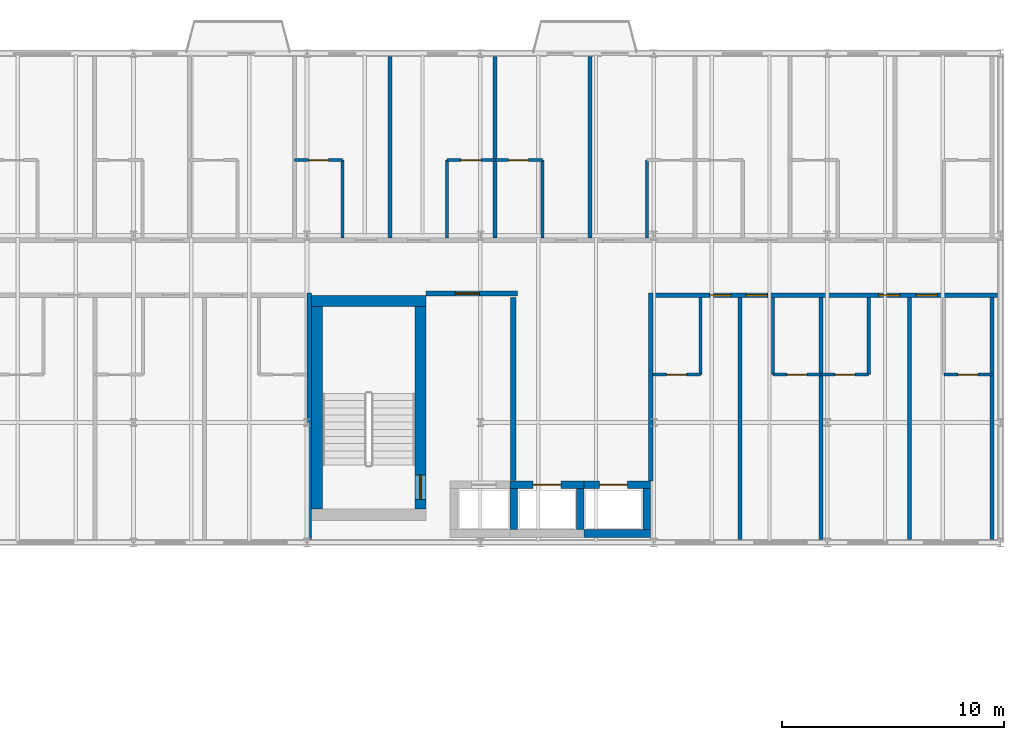
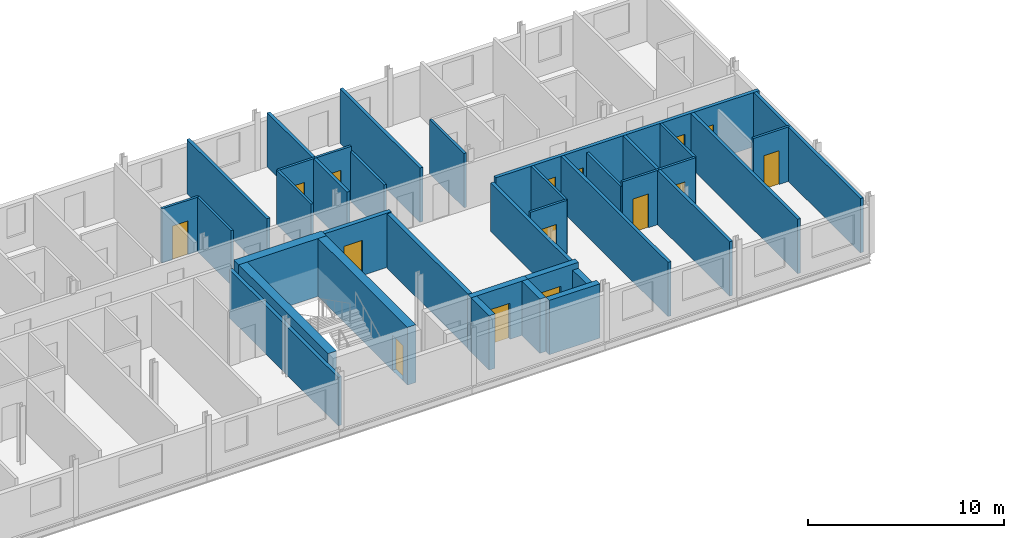
# One storey, part 20 of 25: 35 walls, 15 doors, 15 openings.
"""IFC4 building model written with IfcOpenShell, lengths in metres."""

from ifc_helpers import new_model, si_unit, direction, frame, frame_2d, origin, place, context, subcontext, project, spatial, rectangle, extrude, material, layer, layer_set, type_object, element, fill, save


model = new_model("IFC4")

# Units and contexts
model_context = context("Model", 3, precision=1e-05, world=origin(), true_north=direction((0.0, 1.0)))
body_context = subcontext(model_context, "Body", "Model", "MODEL_VIEW")
ifc_project = project(units=[si_unit("LENGTHUNIT", "METRE"), si_unit("AREAUNIT", "SQUARE_METRE"), si_unit("VOLUMEUNIT", "CUBIC_METRE"), si_unit("PLANEANGLEUNIT", "RADIAN"), si_unit("MASSUNIT", "GRAM", prefix="KILO")], contexts=[model_context])

# Site, building, storey
site_placement = place(None, origin())
site = spatial("IfcSite", under=ifc_project, at=site_placement, CompositionType="ELEMENT")
building_placement = place(site_placement, origin())
building = spatial("IfcBuilding", under=site, at=building_placement, Name="Sefraquen Railside Congress Hotel", CompositionType="ELEMENT")
storey_placement = place(building_placement, frame((0.0, 0.0, 39.0)))
storey = spatial("IfcBuildingStorey", under=building, at=storey_placement, Name="L09", CompositionType="ELEMENT", Elevation=39.0)

# Wall, opening, door
ifc_material_1 = material(Name="Concrete C50/60", Category="concrete")
ifc_layer_1 = layer(ifc_material_1, 0.35009765625)
ifc_layer_set_1 = layer_set([ifc_layer_1], Name="Concrete C50/60")
wall_type_1 = type_object("IfcWallType", Name="TW-CW-350", PredefinedType="SHEAR", material=ifc_layer_set_1)
wall_1_placement = place(storey_placement, frame((73.330078125, 98.594970703125, 0.0), z_axis=(0.0, 0.0, 1.0), x_axis=(1.0, 0.0, 0.0)))
wall_1 = element("IfcWall", 1, at=wall_1_placement, inside=storey, type_object=wall_type_1, Name="Lift PL-05 shaft wall N L09", PredefinedType="SHEAR", context=body_context, shape_type="SweptSolid", body=[
    extrude(rectangle(XDim=3.33984375, YDim=0.35009765625, at=frame_2d((1.669921875, 0.0))), origin(), (0.0, 0.0, 1.0), 3.3798828125),
])
opening_1_placement = place(wall_1_placement, frame((1.044921875, 0.0, 0.0)))
opening_1 = element("IfcOpeningElement", 2, at=opening_1_placement, cuts=wall_1, Name="Opening LD-02", PredefinedType="OPENING", context=body_context, shape_type="SweptSolid", body=[
    extrude(rectangle(XDim=1.25, YDim=2.25, at=frame_2d((0.625, 1.125))), frame((0.0, 0.18505859375, 0.0), z_axis=(0.0, -1.0, 0.0), x_axis=(1.0, 0.0, 0.0)), (0.0, 0.0, 1.0), 0.3701171875),
])
ifc_material_2 = material(Name="Brushed stainless steel", Category="steel")
door_type_1 = type_object("IfcDoorType", Name="TD-LD-02", OperationType="NOTDEFINED", PredefinedType="DOOR", material=ifc_material_2)
door_1_placement = place(opening_1_placement, origin())
door_1 = element("IfcDoor", 3, at=door_1_placement, inside=storey, type_object=door_type_1, Name="Lift landing door PL-05 L09", OperationType="SLIDING_TO_LEFT", OverallHeight=2.25, OverallWidth=1.25, PredefinedType="DOOR", context=body_context, shape_type="SweptSolid", body=[
    extrude(rectangle(XDim=1.25, YDim=2.25, at=frame_2d((0.625, 1.125))), frame((0.0, 0.02490234375, 0.0), z_axis=(0.0, -1.0, 0.0), x_axis=(1.0, 0.0, 0.0)), (0.0, 0.0, 1.0), 0.050048828125),
])
fill(opening_1, door_1)

# Walls
for number, where, z_axis, x_axis, name in (
    (4, (73.5048828125, 96.580078125, 0.0), (0.0, 0.0, 1.0), (0.0, 1.0, 0.0), "Lift PL-05 shaft wall W L09"),
    (5, (76.4951171875, 96.580078125, 0.0), (0.0, 0.0, 1.0), (0.0, 1.0, 0.0), "Lift PL-05 shaft wall E L09"),
):
    element("IfcWall", number, at=place(storey_placement, frame(where, z_axis=z_axis, x_axis=x_axis)), inside=storey, type_object=wall_type_1, Name=name, PredefinedType="SHEAR", context=body_context, shape_type="SweptSolid", body=[
        extrude(rectangle(XDim=1.83984375, YDim=0.35009765625, at=frame_2d((0.919921875, 0.0))), origin(), (0.0, 0.0, 1.0), 3.3798828125),
    ])

# Wall, opening, door
wall_2_placement = place(storey_placement, frame((76.669921875, 98.594970703125, 0.0), z_axis=(0.0, 0.0, 1.0), x_axis=(1.0, 0.0, 0.0)))
wall_2 = element("IfcWall", 6, at=wall_2_placement, inside=storey, type_object=wall_type_1, Name="Lift PL-06 shaft wall N L09", PredefinedType="SHEAR", context=body_context, shape_type="SweptSolid", body=[
    extrude(rectangle(XDim=2.989990234375, YDim=0.35009765625, at=frame_2d((1.4951171875, 0.0))), origin(), (0.0, 0.0, 1.0), 3.3798828125),
])
opening_2_placement = place(wall_2_placement, frame((0.695068359375, 0.0, 0.0)))
opening_2 = element("IfcOpeningElement", 7, at=opening_2_placement, cuts=wall_2, Name="Opening LD-02", PredefinedType="OPENING", context=body_context, shape_type="SweptSolid", body=[
    extrude(rectangle(XDim=1.25, YDim=2.25, at=frame_2d((0.625, 1.125))), frame((0.0, 0.18505859375, 0.0), z_axis=(0.0, -1.0, 0.0), x_axis=(1.0, 0.0, 0.0)), (0.0, 0.0, 1.0), 0.3701171875),
])
door_2_placement = place(opening_2_placement, origin())
door_2 = element("IfcDoor", 8, at=door_2_placement, inside=storey, type_object=door_type_1, Name="Lift landing door PL-06 L09", OperationType="SLIDING_TO_LEFT", OverallHeight=2.25, OverallWidth=1.25, PredefinedType="DOOR", context=body_context, shape_type="SweptSolid", body=[
    extrude(rectangle(XDim=1.25, YDim=2.25, at=frame_2d((0.625, 1.125))), frame((0.0, 0.02490234375, 0.0), z_axis=(0.0, -1.0, 0.0), x_axis=(1.0, 0.0, 0.0)), (0.0, 0.0, 1.0), 0.050048828125),
])
fill(opening_2, door_2)

# Walls
wall_3_placement = place(storey_placement, frame((76.669921875, 96.405029296875, 0.0), z_axis=(0.0, 0.0, 1.0), x_axis=(1.0, 0.0, 0.0)))
element("IfcWall", 9, at=wall_3_placement, inside=storey, type_object=wall_type_1, Name="Lift PL-06 shaft wall S L09", PredefinedType="SHEAR", context=body_context, shape_type="SweptSolid", body=[
    extrude(rectangle(XDim=2.989990234375, YDim=0.35009765625, at=frame_2d((1.4951171875, 0.0))), origin(), (0.0, 0.0, 1.0), 3.3798828125),
])
wall_4_placement = place(storey_placement, frame((79.485107421875, 96.580078125, 0.0), z_axis=(0.0, 0.0, 1.0), x_axis=(0.0, 1.0, 0.0)))
element("IfcWall", 10, at=wall_4_placement, inside=storey, type_object=wall_type_1, Name="Lift PL-06 shaft wall E L09", PredefinedType="SHEAR", context=body_context, shape_type="SweptSolid", body=[
    extrude(rectangle(XDim=1.83984375, YDim=0.35009765625, at=frame_2d((0.919921875, 0.0))), origin(), (0.0, 0.0, 1.0), 3.010009765625),
])
ifc_layer_2 = layer(ifc_material_1, 0.5)
ifc_layer_set_2 = layer_set([ifc_layer_2], Name="Concrete C50/60")
wall_type_2 = type_object("IfcWallType", Name="TW-CW-500", PredefinedType="SHEAR", material=ifc_layer_set_2)
wall_5_placement = place(storey_placement, frame((64.39990234375, 106.862060546875, 0.0), z_axis=(0.0, 0.0, 1.0), x_axis=(1.0, 0.0, 0.0)))
element("IfcWall", 11, at=wall_5_placement, inside=storey, type_object=wall_type_2, Name="Core shear wall ST-H03 N L09", PredefinedType="SHEAR", context=body_context, shape_type="SweptSolid", body=[
    extrude(rectangle(XDim=5.16015625, YDim=0.5, at=frame_2d((2.580078125, 0.0))), origin(), (0.0, 0.0, 1.0), 3.60009765625),
])
wall_6_placement = place(storey_placement, frame((64.64990234375, 97.5, 0.0), z_axis=(0.0, 0.0, 1.0), x_axis=(0.0, 1.0, 0.0)))
element("IfcWall", 12, at=wall_6_placement, inside=storey, type_object=wall_type_2, Name="Core shear wall ST-H03 W L09", PredefinedType="SHEAR", context=body_context, shape_type="SweptSolid", body=[
    extrude(rectangle(XDim=9.112060546875, YDim=0.5, at=frame_2d((4.55615234375, 0.0))), origin(), (0.0, 0.0, 1.0), 3.60009765625),
])

# Wall, opening, door
wall_7_placement = place(storey_placement, frame((69.31005859375, 97.5, 0.0), z_axis=(0.0, 0.0, 1.0), x_axis=(0.0, 1.0, 0.0)))
wall_7 = element("IfcWall", 13, at=wall_7_placement, inside=storey, type_object=wall_type_2, Name="Core shear wall ST-H03 E L09", PredefinedType="SHEAR", context=body_context, shape_type="SweptSolid", body=[
    extrude(rectangle(XDim=9.112060546875, YDim=0.5, at=frame_2d((4.55615234375, 0.0))), origin(), (0.0, 0.0, 1.0), 3.60009765625),
])
opening_3_placement = place(wall_7_placement, frame((0.43994140625, 0.0, 0.0)))
opening_3 = element("IfcOpeningElement", 14, at=opening_3_placement, cuts=wall_7, Name="Opening FD-04", PredefinedType="OPENING", context=body_context, shape_type="SweptSolid", body=[
    extrude(rectangle(XDim=1.10009765625, YDim=2.199951171875, at=frame_2d((0.550048828125, 1.10009765625))), frame((0.0, 0.260009765625, 0.0), z_axis=(0.0, -1.0, 0.0), x_axis=(1.0, 0.0, 0.0)), (0.0, 0.0, 1.0), 0.52001953125),
])
ifc_material_3 = material(Name="Fire-rated steel", Category="steel")
door_type_2 = type_object("IfcDoorType", Name="TD-FD-04", OperationType="NOTDEFINED", PredefinedType="DOOR", material=ifc_material_3)
door_3_placement = place(opening_3_placement, origin())
door_3 = element("IfcDoor", 15, at=door_3_placement, inside=storey, type_object=door_type_2, Name="Pressurized stair ST-H03 fire door L09", OperationType="SINGLE_SWING_LEFT", OverallHeight=2.199951171875, OverallWidth=1.10009765625, PredefinedType="DOOR", context=body_context, shape_type="SweptSolid", body=[
    extrude(rectangle(XDim=1.10009765625, YDim=2.199951171875, at=frame_2d((0.550048828125, 1.10009765625))), frame((0.0, 0.02490234375, 0.0), z_axis=(0.0, -1.0, 0.0), x_axis=(1.0, 0.0, 0.0)), (0.0, 0.0, 1.0), 0.050048828125),
])
fill(opening_3, door_3)

# Wall
ifc_material_4 = material(Name="Concrete C40/50", Category="concrete")
ifc_layer_3 = layer(ifc_material_4, 0.239990234375)
ifc_layer_set_3 = layer_set([ifc_layer_3], Name="Concrete C40/50")
wall_type_3 = type_object("IfcWallType", Name="TW-FW-240", PredefinedType="STANDARD", material=ifc_layer_set_3)
wall_8_placement = place(storey_placement, frame((73.47998046875, 98.780029296875, 0.0), z_axis=(0.0, 0.0, 1.0), x_axis=(0.0, 1.0, 0.0)))
element("IfcWall", 16, at=wall_8_placement, inside=storey, type_object=wall_type_3, Name="Firefighting Lift Lobby FFL-03 east fire wall L09", PredefinedType="STANDARD", context=body_context, shape_type="SweptSolid", body=[
    extrude(rectangle(XDim=8.239990234375, YDim=0.239990234375, at=frame_2d((4.1201171875, 0.0))), origin(), (0.0, 0.0, 1.0), 3.3798828125),
])

# Wall, opening, door
wall_9_placement = place(storey_placement, frame((69.56005859375, 107.199951171875, 0.0), z_axis=(0.0, 0.0, 1.0), x_axis=(1.0, 0.0, 0.0)))
wall_9 = element("IfcWall", 17, at=wall_9_placement, inside=storey, type_object=wall_type_3, Name="Firefighting Lift Lobby FFL-03 EI 120 separation wall L09", PredefinedType="STANDARD", context=body_context, shape_type="SweptSolid", body=[
    extrude(rectangle(XDim=4.099853515625, YDim=0.239990234375, at=frame_2d((2.0498046875, 0.0))), origin(), (0.0, 0.0, 1.0), 3.3798828125),
])
opening_4_placement = place(wall_9_placement, frame((1.300048828125, 0.0, 0.0)))
opening_4 = element("IfcOpeningElement", 18, at=opening_4_placement, cuts=wall_9, Name="Opening FD-04", PredefinedType="OPENING", context=body_context, shape_type="SweptSolid", body=[
    extrude(rectangle(XDim=1.10009765625, YDim=2.199951171875, at=frame_2d((0.550048828125, 1.10009765625))), frame((0.0, 0.1298828125, 0.0), z_axis=(0.0, -1.0, 0.0), x_axis=(1.0, 0.0, 0.0)), (0.0, 0.0, 1.0), 0.260009765625),
])
door_4_placement = place(opening_4_placement, origin())
door_4 = element("IfcDoor", 19, at=door_4_placement, inside=storey, type_object=door_type_2, Name="Firefighting Lift Lobby FFL-03 self-closing fire door L09", OperationType="SINGLE_SWING_LEFT", OverallHeight=2.199951171875, OverallWidth=1.10009765625, PredefinedType="DOOR", context=body_context, shape_type="SweptSolid", body=[
    extrude(rectangle(XDim=1.10009765625, YDim=2.199951171875, at=frame_2d((0.550048828125, 1.10009765625))), frame((0.0, 0.02490234375, 0.0), z_axis=(0.0, -1.0, 0.0), x_axis=(1.0, 0.0, 0.0)), (0.0, 0.0, 1.0), 0.050048828125),
])
fill(opening_4, door_4)

# Wall
ifc_material_5 = material(Name="Moisture-resistant gypsum board", Category="gypsum")
ifc_layer_4 = layer(ifc_material_5, 0.139892578125)
ifc_layer_set_4 = layer_set([ifc_layer_4], Name="Moisture-resistant gypsum board")
wall_type_4 = type_object("IfcWallType", Name="TW-PW-140", PredefinedType="PARTITIONING", material=ifc_layer_set_4)
wall_10_placement = place(storey_placement, frame((65.800048828125, 109.699951171875, 0.0), z_axis=(0.0, 0.0, 1.0), x_axis=(0.0, 1.0, 0.0)))
element("IfcWall", 20, at=wall_10_placement, inside=storey, type_object=wall_type_4, Name="En-suite bathroom east wall RM-010", PredefinedType="PARTITIONING", context=body_context, shape_type="SweptSolid", body=[
    extrude(rectangle(XDim=3.5, YDim=0.139892578125, at=frame_2d((1.75, 0.0))), origin(), (0.0, 0.0, 1.0), 3.3798828125),
])

# Wall, opening, door
wall_11_placement = place(storey_placement, frame((63.64990234375, 113.199951171875, 0.0), z_axis=(0.0, 0.0, 1.0), x_axis=(1.0, 0.0, 0.0)))
wall_11 = element("IfcWall", 21, at=wall_11_placement, inside=storey, type_object=wall_type_4, Name="En-suite bathroom north wall RM-010", PredefinedType="PARTITIONING", context=body_context, shape_type="SweptSolid", body=[
    extrude(rectangle(XDim=2.150146484375, YDim=0.139892578125, at=frame_2d((1.0751953125, 0.0))), origin(), (0.0, 0.0, 1.0), 3.3798828125),
])
opening_5_placement = place(wall_11_placement, frame((0.625, 0.0, 0.0)))
opening_5 = element("IfcOpeningElement", 22, at=opening_5_placement, cuts=wall_11, Name="Opening ID-02", PredefinedType="OPENING", context=body_context, shape_type="SweptSolid", body=[
    extrude(rectangle(XDim=0.89990234375, YDim=2.10009765625, at=frame_2d((0.449951171875, 1.050048828125))), frame((0.0, 0.079833984375, 0.0), z_axis=(0.0, -1.0, 0.0), x_axis=(1.0, 0.0, 0.0)), (0.0, 0.0, 1.0), 0.159912109375),
])
ifc_material_6 = material(Name="Lacquered cedar joinery", Category="wood")
door_type_3 = type_object("IfcDoorType", Name="TD-ID-02", OperationType="NOTDEFINED", PredefinedType="DOOR", material=ifc_material_6)
door_5_placement = place(opening_5_placement, origin())
door_5 = element("IfcDoor", 23, at=door_5_placement, inside=storey, type_object=door_type_3, Name="En-suite bathroom door RM-010", OperationType="SINGLE_SWING_LEFT", OverallHeight=2.10009765625, OverallWidth=0.89990234375, PredefinedType="DOOR", context=body_context, shape_type="SweptSolid", body=[
    extrude(rectangle(XDim=0.89990234375, YDim=2.10009765625, at=frame_2d((0.449951171875, 1.050048828125))), frame((0.0, 0.02490234375, 0.0), z_axis=(0.0, -1.0, 0.0), x_axis=(1.0, 0.0, 0.0)), (0.0, 0.0, 1.0), 0.050048828125),
])
fill(opening_5, door_5)

# Wall
wall_12_placement = place(storey_placement, frame((70.5, 109.699951171875, 0.0), z_axis=(0.0, 0.0, 1.0), x_axis=(0.0, 1.0, 0.0)))
element("IfcWall", 24, at=wall_12_placement, inside=storey, type_object=wall_type_4, Name="En-suite bathroom west wall RM-011", PredefinedType="PARTITIONING", context=body_context, shape_type="SweptSolid", body=[
    extrude(rectangle(XDim=3.5, YDim=0.139892578125, at=frame_2d((1.75, 0.0))), origin(), (0.0, 0.0, 1.0), 3.3798828125),
])

# Wall, opening, door
wall_13_placement = place(storey_placement, frame((70.5, 113.199951171875, 0.0), z_axis=(0.0, 0.0, 1.0), x_axis=(1.0, 0.0, 0.0)))
wall_13 = element("IfcWall", 25, at=wall_13_placement, inside=storey, type_object=wall_type_4, Name="En-suite bathroom north wall RM-011", PredefinedType="PARTITIONING", context=body_context, shape_type="SweptSolid", body=[
    extrude(rectangle(XDim=2.14990234375, YDim=0.139892578125, at=frame_2d((1.074951171875, 0.0))), origin(), (0.0, 0.0, 1.0), 3.3798828125),
])
opening_6_placement = place(wall_13_placement, frame((0.625, 0.0, 0.0)))
opening_6 = element("IfcOpeningElement", 26, at=opening_6_placement, cuts=wall_13, Name="Opening ID-02", PredefinedType="OPENING", context=body_context, shape_type="SweptSolid", body=[
    extrude(rectangle(XDim=0.89990234375, YDim=2.10009765625, at=frame_2d((0.449951171875, 1.050048828125))), frame((0.0, 0.079833984375, 0.0), z_axis=(0.0, -1.0, 0.0), x_axis=(1.0, 0.0, 0.0)), (0.0, 0.0, 1.0), 0.159912109375),
])
door_6_placement = place(opening_6_placement, origin())
door_6 = element("IfcDoor", 27, at=door_6_placement, inside=storey, type_object=door_type_3, Name="En-suite bathroom door RM-011", OperationType="SINGLE_SWING_LEFT", OverallHeight=2.10009765625, OverallWidth=0.89990234375, PredefinedType="DOOR", context=body_context, shape_type="SweptSolid", body=[
    extrude(rectangle(XDim=0.89990234375, YDim=2.10009765625, at=frame_2d((0.449951171875, 1.050048828125))), frame((0.0, 0.02490234375, 0.0), z_axis=(0.0, -1.0, 0.0), x_axis=(1.0, 0.0, 0.0)), (0.0, 0.0, 1.0), 0.050048828125),
])
fill(opening_6, door_6)

# Wall
wall_14_placement = place(storey_placement, frame((74.800048828125, 109.699951171875, 0.0), z_axis=(0.0, 0.0, 1.0), x_axis=(0.0, 1.0, 0.0)))
element("IfcWall", 28, at=wall_14_placement, inside=storey, type_object=wall_type_4, Name="En-suite bathroom east wall RM-012", PredefinedType="PARTITIONING", context=body_context, shape_type="SweptSolid", body=[
    extrude(rectangle(XDim=3.5, YDim=0.139892578125, at=frame_2d((1.75, 0.0))), origin(), (0.0, 0.0, 1.0), 3.070068359375),
])

# Wall, opening, door
wall_15_placement = place(storey_placement, frame((72.64990234375, 113.199951171875, 0.0), z_axis=(0.0, 0.0, 1.0), x_axis=(1.0, 0.0, 0.0)))
wall_15 = element("IfcWall", 29, at=wall_15_placement, inside=storey, type_object=wall_type_4, Name="En-suite bathroom north wall RM-012", PredefinedType="PARTITIONING", context=body_context, shape_type="SweptSolid", body=[
    extrude(rectangle(XDim=2.150146484375, YDim=0.139892578125, at=frame_2d((1.0751953125, 0.0))), origin(), (0.0, 0.0, 1.0), 3.3798828125),
])
opening_7_placement = place(wall_15_placement, frame((0.625, 0.0, 0.0)))
opening_7 = element("IfcOpeningElement", 30, at=opening_7_placement, cuts=wall_15, Name="Opening ID-02", PredefinedType="OPENING", context=body_context, shape_type="SweptSolid", body=[
    extrude(rectangle(XDim=0.89990234375, YDim=2.10009765625, at=frame_2d((0.449951171875, 1.050048828125))), frame((0.0, 0.079833984375, 0.0), z_axis=(0.0, -1.0, 0.0), x_axis=(1.0, 0.0, 0.0)), (0.0, 0.0, 1.0), 0.159912109375),
])
door_7_placement = place(opening_7_placement, origin())
door_7 = element("IfcDoor", 31, at=door_7_placement, inside=storey, type_object=door_type_3, Name="En-suite bathroom door RM-012", OperationType="SINGLE_SWING_LEFT", OverallHeight=2.10009765625, OverallWidth=0.89990234375, PredefinedType="DOOR", context=body_context, shape_type="SweptSolid", body=[
    extrude(rectangle(XDim=0.89990234375, YDim=2.10009765625, at=frame_2d((0.449951171875, 1.050048828125))), frame((0.0, 0.02490234375, 0.0), z_axis=(0.0, -1.0, 0.0), x_axis=(1.0, 0.0, 0.0)), (0.0, 0.0, 1.0), 0.050048828125),
])
fill(opening_7, door_7)

# Walls
wall_16_placement = place(storey_placement, frame((79.5, 109.699951171875, 0.0), z_axis=(0.0, 0.0, 1.0), x_axis=(0.0, 1.0, 0.0)))
element("IfcWall", 32, at=wall_16_placement, inside=storey, type_object=wall_type_4, Name="En-suite bathroom west wall RM-013", PredefinedType="PARTITIONING", context=body_context, shape_type="SweptSolid", body=[
    extrude(rectangle(XDim=3.5, YDim=0.139892578125, at=frame_2d((1.75, 0.0))), origin(), (0.0, 0.0, 1.0), 3.3798828125),
])
wall_17_placement = place(storey_placement, frame((81.89990234375, 103.550048828125, 0.0), z_axis=(0.0, 0.0, 1.0), x_axis=(0.0, 1.0, 0.0)))
element("IfcWall", 33, at=wall_17_placement, inside=storey, type_object=wall_type_4, Name="En-suite bathroom east wall RM-022", PredefinedType="PARTITIONING", context=body_context, shape_type="SweptSolid", body=[
    extrude(rectangle(XDim=3.469970703125, YDim=0.139892578125, at=frame_2d((1.73486328125, 0.0))), origin(), (0.0, 0.0, 1.0), 3.3798828125),
])

# Wall, opening, door
wall_18_placement = place(storey_placement, frame((79.75, 103.550048828125, 0.0), z_axis=(0.0, 0.0, 1.0), x_axis=(1.0, 0.0, 0.0)))
wall_18 = element("IfcWall", 34, at=wall_18_placement, inside=storey, type_object=wall_type_4, Name="En-suite bathroom south wall RM-022", PredefinedType="PARTITIONING", context=body_context, shape_type="SweptSolid", body=[
    extrude(rectangle(XDim=2.14990234375, YDim=0.139892578125, at=frame_2d((1.074951171875, 0.0))), origin(), (0.0, 0.0, 1.0), 3.3798828125),
])
opening_8_placement = place(wall_18_placement, frame((0.625, 0.0, 0.0)))
opening_8 = element("IfcOpeningElement", 35, at=opening_8_placement, cuts=wall_18, Name="Opening ID-02", PredefinedType="OPENING", context=body_context, shape_type="SweptSolid", body=[
    extrude(rectangle(XDim=0.89990234375, YDim=2.10009765625, at=frame_2d((0.449951171875, 1.050048828125))), frame((0.0, 0.079833984375, 0.0), z_axis=(0.0, -1.0, 0.0), x_axis=(1.0, 0.0, 0.0)), (0.0, 0.0, 1.0), 0.159912109375),
])
door_8_placement = place(opening_8_placement, frame((0.89990234375, 0.0, 0.0), z_axis=(0.0, 0.0, 1.0), x_axis=(-1.0, 0.0, 0.0)))
door_8 = element("IfcDoor", 36, at=door_8_placement, inside=storey, type_object=door_type_3, Name="En-suite bathroom door RM-022", OperationType="SINGLE_SWING_LEFT", OverallHeight=2.10009765625, OverallWidth=0.89990234375, PredefinedType="DOOR", context=body_context, shape_type="SweptSolid", body=[
    extrude(rectangle(XDim=0.89990234375, YDim=2.10009765625, at=frame_2d((0.449951171875, 1.050048828125))), frame((0.0, 0.02490234375, 0.0), z_axis=(0.0, -1.0, 0.0), x_axis=(1.0, 0.0, 0.0)), (0.0, 0.0, 1.0), 0.050048828125),
])
fill(opening_8, door_8)

# Wall
wall_19_placement = place(storey_placement, frame((85.1650390625, 103.550048828125, 0.0), z_axis=(0.0, 0.0, 1.0), x_axis=(0.0, 1.0, 0.0)))
element("IfcWall", 37, at=wall_19_placement, inside=storey, type_object=wall_type_4, Name="En-suite bathroom west wall RM-023", PredefinedType="PARTITIONING", context=body_context, shape_type="SweptSolid", body=[
    extrude(rectangle(XDim=3.469970703125, YDim=0.139892578125, at=frame_2d((1.73486328125, 0.0))), origin(), (0.0, 0.0, 1.0), 3.070068359375),
])

# Wall, opening, door
wall_20_placement = place(storey_placement, frame((85.1650390625, 103.550048828125, 0.0), z_axis=(0.0, 0.0, 1.0), x_axis=(1.0, 0.0, 0.0)))
wall_20 = element("IfcWall", 38, at=wall_20_placement, inside=storey, type_object=wall_type_4, Name="En-suite bathroom south wall RM-023", PredefinedType="PARTITIONING", context=body_context, shape_type="SweptSolid", body=[
    extrude(rectangle(XDim=2.14990234375, YDim=0.139892578125, at=frame_2d((1.074951171875, 0.0))), origin(), (0.0, 0.0, 1.0), 3.3798828125),
])
opening_9_placement = place(wall_20_placement, frame((0.625, 0.0, 0.0)))
opening_9 = element("IfcOpeningElement", 39, at=opening_9_placement, cuts=wall_20, Name="Opening ID-02", PredefinedType="OPENING", context=body_context, shape_type="SweptSolid", body=[
    extrude(rectangle(XDim=0.89990234375, YDim=2.10009765625, at=frame_2d((0.449951171875, 1.050048828125))), frame((0.0, 0.079833984375, 0.0), z_axis=(0.0, -1.0, 0.0), x_axis=(1.0, 0.0, 0.0)), (0.0, 0.0, 1.0), 0.159912109375),
])
door_9_placement = place(opening_9_placement, frame((0.89990234375, 0.0, 0.0), z_axis=(0.0, 0.0, 1.0), x_axis=(-1.0, 0.0, 0.0)))
door_9 = element("IfcDoor", 40, at=door_9_placement, inside=storey, type_object=door_type_3, Name="En-suite bathroom door RM-023", OperationType="SINGLE_SWING_LEFT", OverallHeight=2.10009765625, OverallWidth=0.89990234375, PredefinedType="DOOR", context=body_context, shape_type="SweptSolid", body=[
    extrude(rectangle(XDim=0.89990234375, YDim=2.10009765625, at=frame_2d((0.449951171875, 1.050048828125))), frame((0.0, 0.02490234375, 0.0), z_axis=(0.0, -1.0, 0.0), x_axis=(1.0, 0.0, 0.0)), (0.0, 0.0, 1.0), 0.050048828125),
])
fill(opening_9, door_9)

# Wall
wall_21_placement = place(storey_placement, frame((89.465087890625, 103.550048828125, 0.0), z_axis=(0.0, 0.0, 1.0), x_axis=(0.0, 1.0, 0.0)))
element("IfcWall", 41, at=wall_21_placement, inside=storey, type_object=wall_type_4, Name="En-suite bathroom east wall RM-024", PredefinedType="PARTITIONING", context=body_context, shape_type="SweptSolid", body=[
    extrude(rectangle(XDim=3.469970703125, YDim=0.139892578125, at=frame_2d((1.73486328125, 0.0))), origin(), (0.0, 0.0, 1.0), 3.3798828125),
])

# Wall, opening, door
wall_22_placement = place(storey_placement, frame((87.31494140625, 103.550048828125, 0.0), z_axis=(0.0, 0.0, 1.0), x_axis=(1.0, 0.0, 0.0)))
wall_22 = element("IfcWall", 42, at=wall_22_placement, inside=storey, type_object=wall_type_4, Name="En-suite bathroom south wall RM-024", PredefinedType="PARTITIONING", context=body_context, shape_type="SweptSolid", body=[
    extrude(rectangle(XDim=2.150146484375, YDim=0.139892578125, at=frame_2d((1.0751953125, 0.0))), origin(), (0.0, 0.0, 1.0), 3.3798828125),
])
opening_10_placement = place(wall_22_placement, frame((0.625, 0.0, 0.0)))
opening_10 = element("IfcOpeningElement", 43, at=opening_10_placement, cuts=wall_22, Name="Opening ID-02", PredefinedType="OPENING", context=body_context, shape_type="SweptSolid", body=[
    extrude(rectangle(XDim=0.89990234375, YDim=2.10009765625, at=frame_2d((0.449951171875, 1.050048828125))), frame((0.0, 0.079833984375, 0.0), z_axis=(0.0, -1.0, 0.0), x_axis=(1.0, 0.0, 0.0)), (0.0, 0.0, 1.0), 0.159912109375),
])
door_10_placement = place(opening_10_placement, frame((0.89990234375, 0.0, 0.0), z_axis=(0.0, 0.0, 1.0), x_axis=(-1.0, 0.0, 0.0)))
door_10 = element("IfcDoor", 44, at=door_10_placement, inside=storey, type_object=door_type_3, Name="En-suite bathroom door RM-024", OperationType="SINGLE_SWING_LEFT", OverallHeight=2.10009765625, OverallWidth=0.89990234375, PredefinedType="DOOR", context=body_context, shape_type="SweptSolid", body=[
    extrude(rectangle(XDim=0.89990234375, YDim=2.10009765625, at=frame_2d((0.449951171875, 1.050048828125))), frame((0.0, 0.02490234375, 0.0), z_axis=(0.0, -1.0, 0.0), x_axis=(1.0, 0.0, 0.0)), (0.0, 0.0, 1.0), 0.050048828125),
])
fill(opening_10, door_10)

wall_23_placement = place(storey_placement, frame((92.85009765625, 103.550048828125, 0.0), z_axis=(0.0, 0.0, 1.0), x_axis=(1.0, 0.0, 0.0)))
wall_23 = element("IfcWall", 45, at=wall_23_placement, inside=storey, type_object=wall_type_4, Name="En-suite bathroom south wall RM-025", PredefinedType="PARTITIONING", context=body_context, shape_type="SweptSolid", body=[
    extrude(rectangle(XDim=2.14990234375, YDim=0.139892578125, at=frame_2d((1.074951171875, 0.0))), origin(), (0.0, 0.0, 1.0), 3.3798828125),
])
opening_11_placement = place(wall_23_placement, frame((0.625, 0.0, 0.0)))
opening_11 = element("IfcOpeningElement", 46, at=opening_11_placement, cuts=wall_23, Name="Opening ID-02", PredefinedType="OPENING", context=body_context, shape_type="SweptSolid", body=[
    extrude(rectangle(XDim=0.89990234375, YDim=2.10009765625, at=frame_2d((0.449951171875, 1.050048828125))), frame((0.0, 0.079833984375, 0.0), z_axis=(0.0, -1.0, 0.0), x_axis=(1.0, 0.0, 0.0)), (0.0, 0.0, 1.0), 0.159912109375),
])
door_11_placement = place(opening_11_placement, frame((0.89990234375, 0.0, 0.0), z_axis=(0.0, 0.0, 1.0), x_axis=(-1.0, 0.0, 0.0)))
door_11 = element("IfcDoor", 47, at=door_11_placement, inside=storey, type_object=door_type_3, Name="En-suite bathroom door RM-025", OperationType="SINGLE_SWING_LEFT", OverallHeight=2.10009765625, OverallWidth=0.89990234375, PredefinedType="DOOR", context=body_context, shape_type="SweptSolid", body=[
    extrude(rectangle(XDim=0.89990234375, YDim=2.10009765625, at=frame_2d((0.449951171875, 1.050048828125))), frame((0.0, 0.02490234375, 0.0), z_axis=(0.0, -1.0, 0.0), x_axis=(1.0, 0.0, 0.0)), (0.0, 0.0, 1.0), 0.050048828125),
])
fill(opening_11, door_11)

# Walls
ifc_material_7 = material(Name="Acoustic gypsum board on metal stud", Category="gypsum")
ifc_layer_5 = layer(ifc_material_7, 0.179931640625)
ifc_layer_set_5 = layer_set([ifc_layer_5], Name="Acoustic gypsum board on metal stud")
wall_type_5 = type_object("IfcWallType", Name="TW-PW-180", PredefinedType="PARTITIONING", material=ifc_layer_set_5)
for number, where, z_axis, x_axis, name in (
    (48, (67.925048828125, 109.699951171875, 0.0), (0.0, 0.0, 1.0), (0.0, 1.0, 0.0), "Guest room demising wall RM-010"),
    (49, (72.64990234375, 109.699951171875, 0.0), (0.0, 0.0, 1.0), (0.0, 1.0, 0.0), "Guest room demising wall RM-011"),
    (50, (76.925048828125, 109.699951171875, 0.0), (0.0, 0.0, 1.0), (0.0, 1.0, 0.0), "Guest room demising wall RM-012"),
):
    element("IfcWall", number, at=place(storey_placement, frame(where, z_axis=z_axis, x_axis=x_axis)), inside=storey, type_object=wall_type_5, Name=name, PredefinedType="PARTITIONING", context=body_context, shape_type="SweptSolid", body=[
        extrude(rectangle(XDim=8.150146484375, YDim=0.179931640625, at=frame_2d((4.0751953125, 0.0))), origin(), (0.0, 0.0, 1.0), 3.3798828125),
    ])
for number, where, z_axis, x_axis, name in (
    (51, (83.68310546875, 96.139892578125, 0.0), (0.0, 0.0, 1.0), (0.0, 1.0, 0.0), "South guest room demising wall RM-022"),
    (52, (87.31494140625, 96.139892578125, 0.0), (0.0, 0.0, 1.0), (0.0, 1.0, 0.0), "South guest room demising wall RM-023"),
    (53, (91.30810546875, 96.139892578125, 0.0), (0.0, 0.0, 1.0), (0.0, 1.0, 0.0), "South guest room demising wall RM-024"),
    (54, (95.0, 96.139892578125, 0.0), (0.0, 0.0, 1.0), (0.0, 1.0, 0.0), "South guest room demising wall RM-025"),
):
    element("IfcWall", number, at=place(storey_placement, frame(where, z_axis=z_axis, x_axis=x_axis)), inside=storey, type_object=wall_type_5, Name=name, PredefinedType="PARTITIONING", context=body_context, shape_type="SweptSolid", body=[
        extrude(rectangle(XDim=10.880126953125, YDim=0.179931640625, at=frame_2d((5.43994140625, 0.0))), origin(), (0.0, 0.0, 1.0), 3.3798828125),
    ])

# Wall, openings, doors
ifc_layer_6 = layer(ifc_material_7, 0.199951171875)
ifc_layer_set_6 = layer_set([ifc_layer_6], Name="Acoustic gypsum board on metal stud")
wall_type_6 = type_object("IfcWallType", Name="TW-PW-200", PredefinedType="PARTITIONING", material=ifc_layer_set_6)
wall_24_placement = place(storey_placement, frame((79.760009765625, 107.1201171875, 0.0), z_axis=(0.0, 0.0, 1.0), x_axis=(1.0, 0.0, 0.0)))
wall_24 = element("IfcWall", 55, at=wall_24_placement, inside=storey, type_object=wall_type_6, Name="Hotel L09 south-east corridor fire-rated partition", PredefinedType="PARTITIONING", context=body_context, shape_type="SweptSolid", body=[
    extrude(rectangle(XDim=15.5, YDim=0.199951171875, at=frame_2d((7.75, 0.0))), origin(), (0.0, 0.0, 1.0), 3.3798828125),
])
opening_12_placement = place(wall_24_placement, frame((2.552001953125, 0.0, 0.0)))
opening_12 = element("IfcOpeningElement", 56, at=opening_12_placement, cuts=wall_24, Name="Opening GD-02", PredefinedType="OPENING", context=body_context, shape_type="SweptSolid", body=[
    extrude(rectangle(XDim=0.9599609375, YDim=2.199951171875, at=frame_2d((0.47998046875, 1.10009765625))), frame((0.0, 0.10986328125, 0.0), z_axis=(0.0, -1.0, 0.0), x_axis=(1.0, 0.0, 0.0)), (0.0, 0.0, 1.0), 0.219970703125),
])
opening_13_placement = place(wall_24_placement, frame((4.18408203125, 0.0, 0.0)))
opening_13 = element("IfcOpeningElement", 57, at=opening_13_placement, cuts=wall_24, Name="Opening GD-02", PredefinedType="OPENING", context=body_context, shape_type="SweptSolid", body=[
    extrude(rectangle(XDim=0.9599609375, YDim=2.199951171875, at=frame_2d((0.47998046875, 1.10009765625))), frame((0.0, 0.10986328125, 0.0), z_axis=(0.0, -1.0, 0.0), x_axis=(1.0, 0.0, 0.0)), (0.0, 0.0, 1.0), 0.219970703125),
])
opening_14_placement = place(wall_24_placement, frame((10.14599609375, 0.0, 0.0)))
opening_14 = element("IfcOpeningElement", 58, at=opening_14_placement, cuts=wall_24, Name="Opening GD-02", PredefinedType="OPENING", context=body_context, shape_type="SweptSolid", body=[
    extrude(rectangle(XDim=0.9599609375, YDim=2.199951171875, at=frame_2d((0.47998046875, 1.10009765625))), frame((0.0, 0.10986328125, 0.0), z_axis=(0.0, -1.0, 0.0), x_axis=(1.0, 0.0, 0.0)), (0.0, 0.0, 1.0), 0.219970703125),
])
opening_15_placement = place(wall_24_placement, frame((11.839111328125, 0.0, 0.0)))
opening_15 = element("IfcOpeningElement", 59, at=opening_15_placement, cuts=wall_24, Name="Opening GD-02", PredefinedType="OPENING", context=body_context, shape_type="SweptSolid", body=[
    extrude(rectangle(XDim=0.9599609375, YDim=2.199951171875, at=frame_2d((0.47998046875, 1.10009765625))), frame((0.0, 0.10986328125, 0.0), z_axis=(0.0, -1.0, 0.0), x_axis=(1.0, 0.0, 0.0)), (0.0, 0.0, 1.0), 0.219970703125),
])
ifc_material_8 = material(Name="Solid Atlas cedar timber fire leaf", Category="wood")
door_type_4 = type_object("IfcDoorType", Name="TD-GD-02", OperationType="NOTDEFINED", PredefinedType="DOOR", material=ifc_material_8)
door_12_placement = place(opening_12_placement, frame((0.9599609375, 0.0, 0.0), z_axis=(0.0, 0.0, 1.0), x_axis=(-1.0, 0.0, 0.0)))
door_12 = element("IfcDoor", 60, at=door_12_placement, inside=storey, type_object=door_type_4, Name="Guest room entrance fire door RM-022", OperationType="SINGLE_SWING_RIGHT", OverallHeight=2.199951171875, OverallWidth=0.9599609375, PredefinedType="DOOR", context=body_context, shape_type="SweptSolid", body=[
    extrude(rectangle(XDim=0.9599609375, YDim=2.199951171875, at=frame_2d((0.47998046875, 1.10009765625))), frame((0.0, 0.02490234375, 0.0), z_axis=(0.0, -1.0, 0.0), x_axis=(1.0, 0.0, 0.0)), (0.0, 0.0, 1.0), 0.050048828125),
])
fill(opening_12, door_12)
door_13_placement = place(opening_13_placement, frame((0.9599609375, 0.0, 0.0), z_axis=(0.0, 0.0, 1.0), x_axis=(-1.0, 0.0, 0.0)))
door_13 = element("IfcDoor", 61, at=door_13_placement, inside=storey, type_object=door_type_4, Name="Guest room entrance fire door RM-023", OperationType="SINGLE_SWING_RIGHT", OverallHeight=2.199951171875, OverallWidth=0.9599609375, PredefinedType="DOOR", context=body_context, shape_type="SweptSolid", body=[
    extrude(rectangle(XDim=0.9599609375, YDim=2.199951171875, at=frame_2d((0.47998046875, 1.10009765625))), frame((0.0, 0.02490234375, 0.0), z_axis=(0.0, -1.0, 0.0), x_axis=(1.0, 0.0, 0.0)), (0.0, 0.0, 1.0), 0.050048828125),
])
fill(opening_13, door_13)
door_14_placement = place(opening_14_placement, frame((0.9599609375, 0.0, 0.0), z_axis=(0.0, 0.0, 1.0), x_axis=(-1.0, 0.0, 0.0)))
door_14 = element("IfcDoor", 62, at=door_14_placement, inside=storey, type_object=door_type_4, Name="Guest room entrance fire door RM-024", OperationType="SINGLE_SWING_RIGHT", OverallHeight=2.199951171875, OverallWidth=0.9599609375, PredefinedType="DOOR", context=body_context, shape_type="SweptSolid", body=[
    extrude(rectangle(XDim=0.9599609375, YDim=2.199951171875, at=frame_2d((0.47998046875, 1.10009765625))), frame((0.0, 0.02490234375, 0.0), z_axis=(0.0, -1.0, 0.0), x_axis=(1.0, 0.0, 0.0)), (0.0, 0.0, 1.0), 0.050048828125),
])
fill(opening_14, door_14)
door_15_placement = place(opening_15_placement, frame((0.9599609375, 0.0, 0.0), z_axis=(0.0, 0.0, 1.0), x_axis=(-1.0, 0.0, 0.0)))
door_15 = element("IfcDoor", 63, at=door_15_placement, inside=storey, type_object=door_type_4, Name="Guest room entrance fire door RM-025", OperationType="SINGLE_SWING_RIGHT", OverallHeight=2.199951171875, OverallWidth=0.9599609375, PredefinedType="DOOR", context=body_context, shape_type="SweptSolid", body=[
    extrude(rectangle(XDim=0.9599609375, YDim=2.199951171875, at=frame_2d((0.47998046875, 1.10009765625))), frame((0.0, 0.02490234375, 0.0), z_axis=(0.0, -1.0, 0.0), x_axis=(1.0, 0.0, 0.0)), (0.0, 0.0, 1.0), 0.050048828125),
])
fill(opening_15, door_15)

# Walls
wall_25_placement = place(storey_placement, frame((64.300048828125, 96.139892578125, 0.0), z_axis=(0.0, 0.0, 1.0), x_axis=(0.0, 1.0, 0.0)))
element("IfcWall", 64, at=wall_25_placement, inside=storey, type_object=wall_type_6, Name="Hotel L09 south-mid east end fire-rated partition", PredefinedType="PARTITIONING", context=body_context, shape_type="SweptSolid", body=[
    extrude(rectangle(XDim=11.080078125, YDim=0.199951171875, at=frame_2d((5.5400390625, 0.0))), origin(), (0.0, 0.0, 1.0), 3.010009765625),
])
wall_26_placement = place(storey_placement, frame((79.659912109375, 98.77001953125, 0.0), z_axis=(0.0, 0.0, 1.0), x_axis=(0.0, 1.0, 0.0)))
element("IfcWall", 65, at=wall_26_placement, inside=storey, type_object=wall_type_6, Name="Hotel L09 south-east west end fire-rated partition", PredefinedType="PARTITIONING", context=body_context, shape_type="SweptSolid", body=[
    extrude(rectangle(XDim=8.449951171875, YDim=0.199951171875, at=frame_2d((4.22509765625, 0.0))), origin(), (0.0, 0.0, 1.0), 3.010009765625),
])

save(model, "model.ifc")
